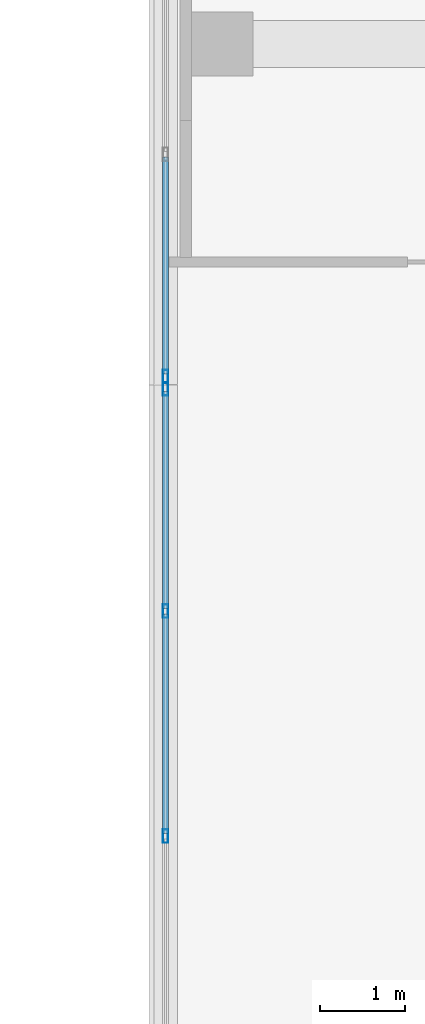
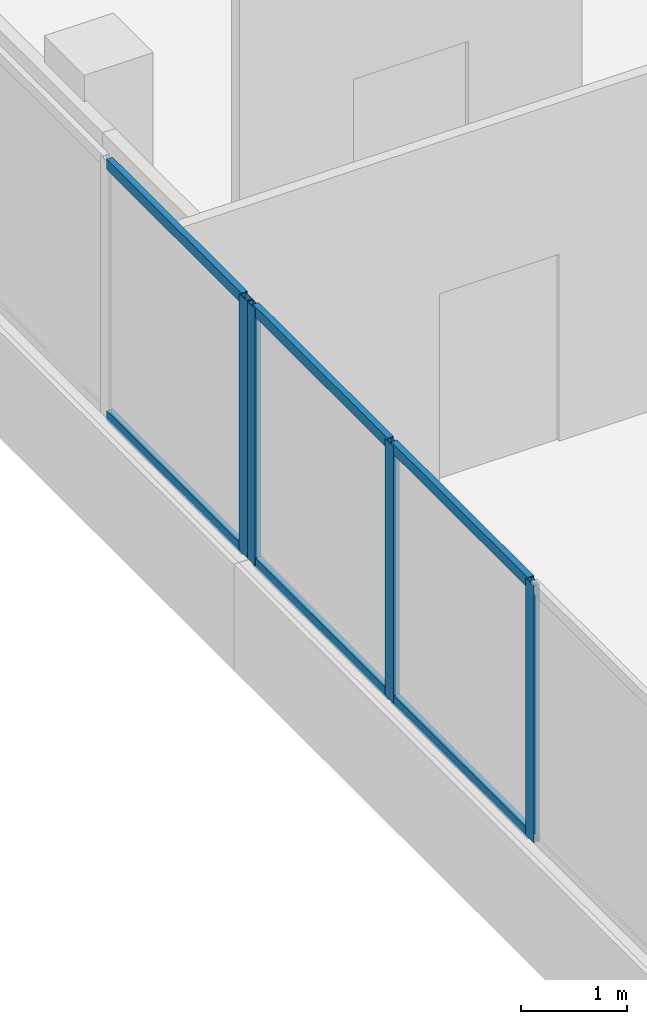
# One storey, part 82 of 184: 10 members, 2 elements without a shape of their own.
"""IFC4 building model written with IfcOpenShell, lengths in metres."""

from ifc_helpers import new_model, si_unit, direction, frame, origin, origin_2d, place, context, subcontext, project, spatial, hollow_rectangle, extrude, material, material_profile, profile_set, type_object, element, aggregate, save


model = new_model("IFC4")

# Units and contexts
model_context = context("Model", 3, precision=1e-05, world=origin(), true_north=direction((0.0, 1.0)))
body_context = subcontext(model_context, "Body", "Model", "MODEL_VIEW")
ifc_project = project(units=[si_unit("LENGTHUNIT", "METRE"), si_unit("AREAUNIT", "SQUARE_METRE"), si_unit("VOLUMEUNIT", "CUBIC_METRE"), si_unit("PLANEANGLEUNIT", "RADIAN"), si_unit("MASSUNIT", "GRAM", prefix="KILO")], contexts=[model_context])

# Site, building, storey
site_placement = place(None, origin())
site = spatial("IfcSite", under=ifc_project, at=site_placement, CompositionType="ELEMENT")
building_placement = place(site_placement, origin())
building = spatial("IfcBuilding", under=site, at=building_placement, Name="Selatvlak General Hospital", CompositionType="ELEMENT")
storey_placement = place(building_placement, frame((0.0, 0.0, 15.0)))
storey = spatial("IfcBuildingStorey", under=building, at=storey_placement, Name="L03", CompositionType="ELEMENT", Elevation=15.0)

# Curtain wall, members
ifc_material_1 = material(Name="Solar-control Low-E double glazing", Category="glass")
curtain_wall_type_1 = type_object("IfcCurtainWallType", Name="CW-CW-02", PredefinedType="USERDEFINED", material=ifc_material_1)
curtain_wall_1_placement = place(storey_placement, origin())
curtain_wall_1 = element("IfcCurtainWall", 1, at=curtain_wall_1_placement, inside=storey, type_object=curtain_wall_type_1, Name="Glazed facade curtain wall CW-L03-0361", ObjectType="UNITISED CURTAIN WALL", PredefinedType="USERDEFINED")
ifc_material_2 = material(Name="Dark anodised aluminium mullion", Category="aluminium")
ifc_material_profile_1 = material_profile(ifc_material_2, hollow_rectangle(XDim=0.06494140625, YDim=0.159912109375, WallThickness=0.00390625, at=origin_2d()), Name="AL-MUL 65x160x4")
ifc_profile_set_1 = profile_set([ifc_material_profile_1], Name="Dark anodised aluminium mullion")
member_type_1 = type_object("IfcMemberType", Name="CWM-01", PredefinedType="MULLION", material=ifc_profile_set_1)
member_1_placement = place(storey_placement, frame((14.39990234375, 98.70458984375, 0.93994140625), z_axis=(0.0, 0.0, 1.0), x_axis=(-1.0, 0.0, 0.0)))
member_1 = element("IfcMember", 2, at=member_1_placement, type_object=member_type_1, Name="CW-02 mullion 2", PredefinedType="MULLION", context=body_context, shape_type="SweptSolid", body=[
    extrude(hollow_rectangle(XDim=0.06494140625, YDim=0.159912109375, WallThickness=0.00390625, at=origin_2d()), origin(), (0.0, 0.0, 1.0), 2.955078125),
])
member_2_placement = place(storey_placement, frame((14.39990234375, 101.34423828125, 0.93994140625), z_axis=(0.0, 0.0, 1.0), x_axis=(-1.0, 0.0, 0.0)))
member_2 = element("IfcMember", 3, at=member_2_placement, type_object=member_type_1, Name="CW-02 mullion 3", PredefinedType="MULLION", context=body_context, shape_type="SweptSolid", body=[
    extrude(hollow_rectangle(XDim=0.06494140625, YDim=0.159912109375, WallThickness=0.00390625, at=origin_2d()), origin(), (0.0, 0.0, 1.0), 2.955078125),
])
member_3_placement = place(storey_placement, frame((14.39990234375, 103.951416015625, 0.93994140625), z_axis=(0.0, 0.0, 1.0), x_axis=(-1.0, 0.0, 0.0)))
member_3 = element("IfcMember", 4, at=member_3_placement, type_object=member_type_1, Name="CW-02 mullion 4", PredefinedType="MULLION", context=body_context, shape_type="SweptSolid", body=[
    extrude(hollow_rectangle(XDim=0.06494140625, YDim=0.159912109375, WallThickness=0.00390625, at=origin_2d()), origin(), (0.0, 0.0, 1.0), 2.955078125),
])

# Curtain wall, member
curtain_wall_type_2 = type_object("IfcCurtainWallType", Name="CW-CW-01", PredefinedType="USERDEFINED", material=ifc_material_1)
curtain_wall_2_placement = place(storey_placement, origin())
curtain_wall_2 = element("IfcCurtainWall", 5, at=curtain_wall_2_placement, inside=storey, type_object=curtain_wall_type_2, Name="Glazed facade curtain wall CW-L03-0362", ObjectType="UNITISED CURTAIN WALL", PredefinedType="USERDEFINED")
member_4_placement = place(storey_placement, frame((14.39990234375, 104.096435546875, 0.93994140625), z_axis=(0.0, 0.0, 1.0), x_axis=(-1.0, 0.0, 0.0)))
member_4 = element("IfcMember", 6, at=member_4_placement, type_object=member_type_1, Name="CW-01 mullion 1", PredefinedType="MULLION", context=body_context, shape_type="SweptSolid", body=[
    extrude(hollow_rectangle(XDim=0.06494140625, YDim=0.159912109375, WallThickness=0.00390625, at=origin_2d()), origin(), (0.0, 0.0, 1.0), 2.955078125),
])

# Member
ifc_material_profile_2 = material_profile(ifc_material_2, hollow_rectangle(XDim=0.06494140625, YDim=0.1201171875, WallThickness=0.00390625, at=origin_2d()), Name="AL-TRN 65x120x4")
ifc_profile_set_2 = profile_set([ifc_material_profile_2], Name="Dark anodised aluminium mullion")
member_type_2 = type_object("IfcMemberType", Name="CWT-01", PredefinedType="USERDEFINED", material=ifc_profile_set_2)
member_5_placement = place(storey_placement, frame((14.39990234375, 98.737060546875, 0.972412109375), z_axis=(0.0, 1.0, 0.0), x_axis=(-1.0, 0.0, 0.0)))
member_5 = element("IfcMember", 7, at=member_5_placement, type_object=member_type_2, Name="CW-02 transom 2.1", ObjectType="TRANSOM", PredefinedType="USERDEFINED", context=body_context, shape_type="SweptSolid", body=[
    extrude(hollow_rectangle(XDim=0.06494140625, YDim=0.1201171875, WallThickness=0.00390625, at=origin_2d()), origin(), (0.0, 0.0, 1.0), 2.57470703125),
])

member_6_placement = place(storey_placement, frame((14.39990234375, 98.737060546875, 3.862548828125), z_axis=(0.0, 1.0, 0.0), x_axis=(-1.0, 0.0, 0.0)))
member_6 = element("IfcMember", 8, at=member_6_placement, type_object=member_type_2, Name="CW-02 transom 2.2", ObjectType="TRANSOM", PredefinedType="USERDEFINED", context=body_context, shape_type="SweptSolid", body=[
    extrude(hollow_rectangle(XDim=0.06494140625, YDim=0.1201171875, WallThickness=0.00390625, at=origin_2d()), origin(), (0.0, 0.0, 1.0), 2.57470703125),
])

member_7_placement = place(storey_placement, frame((14.39990234375, 101.376953125, 0.972412109375), z_axis=(0.0, 1.0, 0.0), x_axis=(-1.0, 0.0, 0.0)))
member_7 = element("IfcMember", 9, at=member_7_placement, type_object=member_type_2, Name="CW-02 transom 3.1", ObjectType="TRANSOM", PredefinedType="USERDEFINED", context=body_context, shape_type="SweptSolid", body=[
    extrude(hollow_rectangle(XDim=0.06494140625, YDim=0.1201171875, WallThickness=0.00390625, at=origin_2d()), origin(), (0.0, 0.0, 1.0), 2.5419921875),
])

member_8_placement = place(storey_placement, frame((14.39990234375, 101.376953125, 3.862548828125), z_axis=(0.0, 1.0, 0.0), x_axis=(-1.0, 0.0, 0.0)))
member_8 = element("IfcMember", 10, at=member_8_placement, type_object=member_type_2, Name="CW-02 transom 3.2", ObjectType="TRANSOM", PredefinedType="USERDEFINED", context=body_context, shape_type="SweptSolid", body=[
    extrude(hollow_rectangle(XDim=0.06494140625, YDim=0.1201171875, WallThickness=0.00390625, at=origin_2d()), origin(), (0.0, 0.0, 1.0), 2.5419921875),
])

aggregate(curtain_wall_1, [member_1, member_2, member_3, member_5, member_6, member_7, member_8])

member_9_placement = place(storey_placement, frame((14.39990234375, 104.12890625, 0.972412109375), z_axis=(0.0, 1.0, 0.0), x_axis=(-1.0, 0.0, 0.0)))
member_9 = element("IfcMember", 11, at=member_9_placement, type_object=member_type_2, Name="CW-01 transom 1.1", ObjectType="TRANSOM", PredefinedType="USERDEFINED", context=body_context, shape_type="SweptSolid", body=[
    extrude(hollow_rectangle(XDim=0.06494140625, YDim=0.1201171875, WallThickness=0.00390625, at=origin_2d()), origin(), (0.0, 0.0, 1.0), 2.54248046875),
])

member_10_placement = place(storey_placement, frame((14.39990234375, 104.12890625, 3.862548828125), z_axis=(0.0, 1.0, 0.0), x_axis=(-1.0, 0.0, 0.0)))
member_10 = element("IfcMember", 12, at=member_10_placement, type_object=member_type_2, Name="CW-01 transom 1.2", ObjectType="TRANSOM", PredefinedType="USERDEFINED", context=body_context, shape_type="SweptSolid", body=[
    extrude(hollow_rectangle(XDim=0.06494140625, YDim=0.1201171875, WallThickness=0.00390625, at=origin_2d()), origin(), (0.0, 0.0, 1.0), 2.54248046875),
])

aggregate(curtain_wall_2, [member_4, member_9, member_10])

save(model, "model.ifc")
